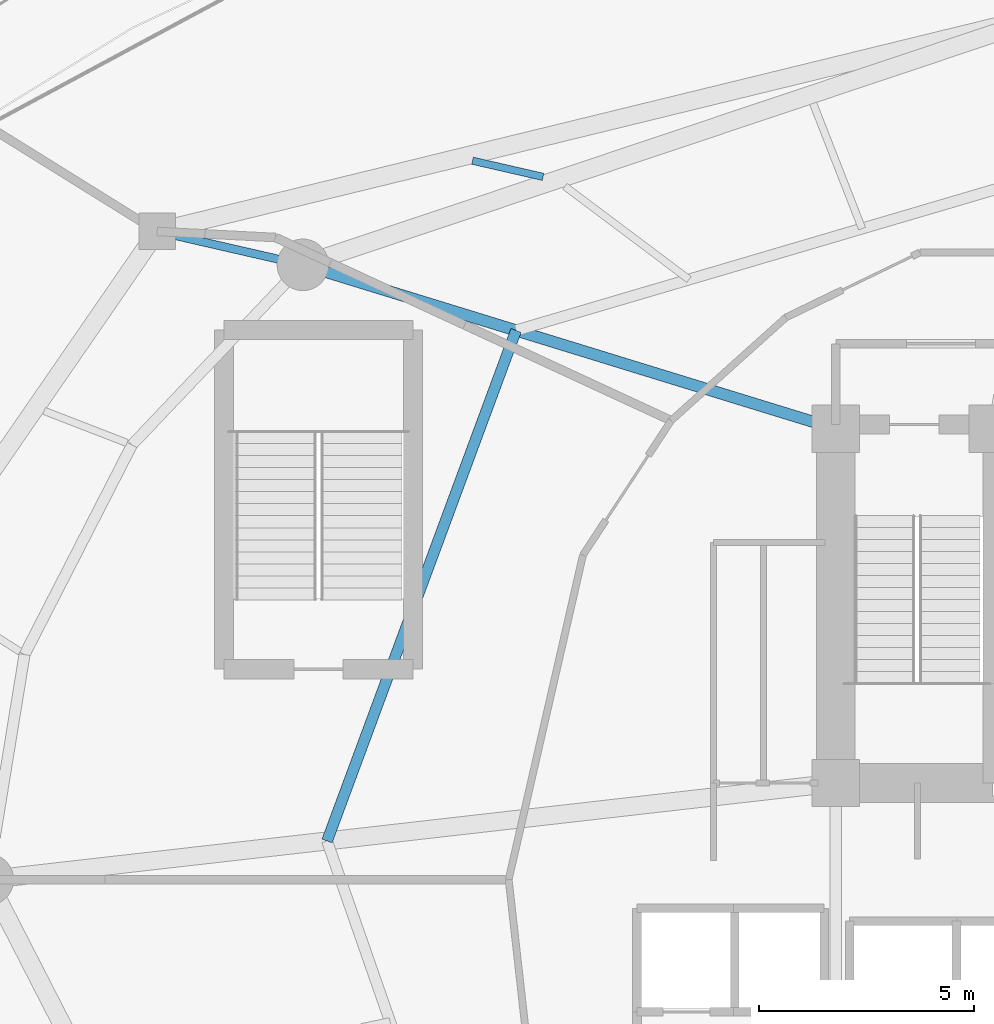
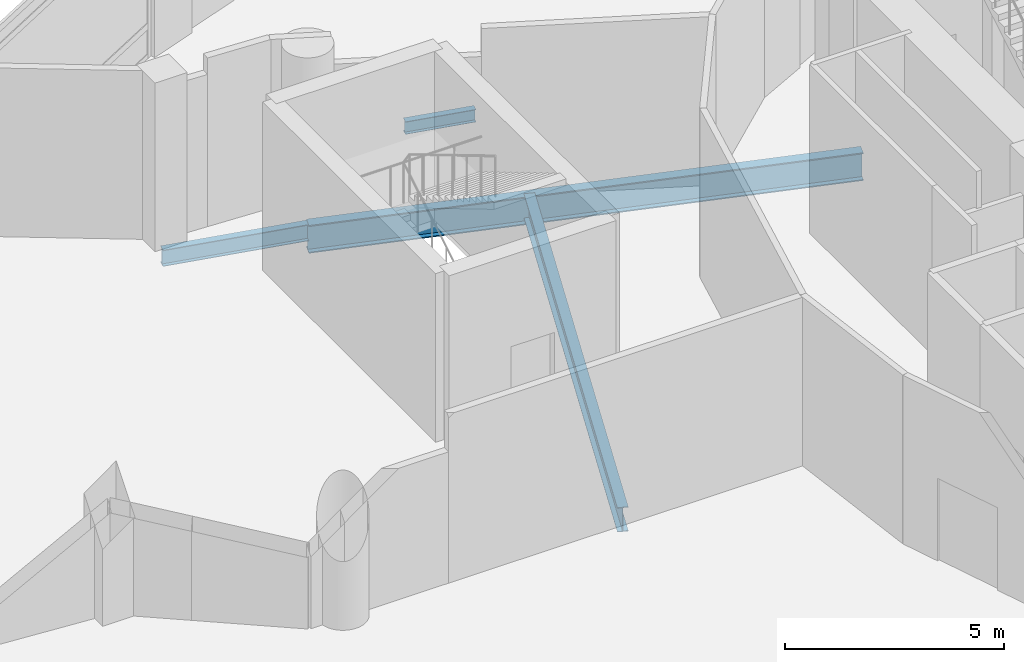
# One storey, part 15 of 36: 4 beams.
"""IFC4 building model written with IfcOpenShell, lengths in metres."""

from ifc_helpers import new_model, si_unit, direction, frame, origin, origin_2d, place, context, subcontext, project, spatial, i_section, extrude, material, material_profile, profile_set, type_object, element, save


model = new_model("IFC4")

# Units and contexts
model_context = context("Model", 3, precision=1e-05, world=origin(), true_north=direction((0.0, 1.0)))
body_context = subcontext(model_context, "Body", "Model", "MODEL_VIEW")
ifc_project = project(units=[si_unit("LENGTHUNIT", "METRE"), si_unit("AREAUNIT", "SQUARE_METRE"), si_unit("VOLUMEUNIT", "CUBIC_METRE"), si_unit("PLANEANGLEUNIT", "RADIAN"), si_unit("MASSUNIT", "GRAM", prefix="KILO")], contexts=[model_context])

# Site, building, storey
site_placement = place(None, origin())
site = spatial("IfcSite", under=ifc_project, at=site_placement, CompositionType="ELEMENT")
building_placement = place(site_placement, origin())
building = spatial("IfcBuilding", under=site, at=building_placement, Name="Nuhasar Tower", CompositionType="ELEMENT")
storey_placement = place(building_placement, frame((0.0, 0.0, 11.0)))
storey = spatial("IfcBuildingStorey", under=building, at=storey_placement, Name="L02", CompositionType="ELEMENT", Elevation=11.0)

# Beams
ifc_material = material(Name="Steel S355", Category="steel")
ifc_material_profile_1 = material_profile(ifc_material, i_section(OverallWidth=0.25390625, OverallDepth=0.68408203125, WebThickness=0.012451171875, FlangeThickness=0.018798828125, at=origin_2d()), Name="W27X94")
ifc_profile_set_1 = profile_set([ifc_material_profile_1], Name="Steel S355")
beam_type_1 = type_object("IfcBeamType", Name="BM-INRING-W27X94", PredefinedType="BEAM", material=ifc_profile_set_1)
beam_1_placement = place(storey_placement, frame((26.251953125, 39.591064453125, -0.64208984375), z_axis=(-0.34715757476, -0.937806812881, 0.0), x_axis=(0.937806812881, -0.34715757476, 0.0)))
element("IfcBeam", 1, at=beam_1_placement, inside=storey, type_object=beam_type_1, Name="L02 Inner Header Beam 07", PredefinedType="BEAM", context=body_context, shape_type="SweptSolid", body=[
    extrude(i_section(OverallWidth=0.25390625, OverallDepth=0.68408203125, WebThickness=0.012451171875, FlangeThickness=0.018798828125, at=origin_2d()), origin(), (0.0, 0.0, 1.0), 12.6796875),
])
ifc_material_profile_2 = material_profile(ifc_material, i_section(OverallWidth=0.1708984375, OverallDepth=0.35205078125, WebThickness=0.0068359375, FlangeThickness=0.009765625, at=origin_2d()), Name="W14X30")
ifc_profile_set_2 = profile_set([ifc_material_profile_2], Name="Steel S355")
beam_type_2 = type_object("IfcBeamType", Name="BM-JST-W14X30", PredefinedType="JOIST", material=ifc_profile_set_2)
beam_2_placement = place(storey_placement, frame((26.882080078125, 43.1669921875, -0.47607421875), z_axis=(-0.974707362728, 0.223485026441, 0.0), x_axis=(-0.223485026441, -0.974707362728, 0.0)))
element("IfcBeam", 2, at=beam_2_placement, inside=storey, type_object=beam_type_2, Name="L02 Podium Secondary Joist 12", PredefinedType="JOIST", context=body_context, shape_type="SweptSolid", body=[
    extrude(i_section(OverallWidth=0.1708984375, OverallDepth=0.35205078125, WebThickness=0.0068359375, FlangeThickness=0.009765625, at=origin_2d()), origin(), (0.0, 0.0, 1.0), 1.686767578125),
])
ifc_material_profile_3 = material_profile(ifc_material, i_section(OverallWidth=0.18994140625, OverallDepth=0.45703125, WebThickness=0.009033203125, FlangeThickness=0.014404296875, at=origin_2d()), Name="W18X50")
ifc_profile_set_3 = profile_set([ifc_material_profile_3], Name="Steel S355")
beam_type_3 = type_object("IfcBeamType", Name="BM-RAD-W18X50", PredefinedType="BEAM", material=ifc_profile_set_3)
beam_3_placement = place(storey_placement, frame((21.287109375, 41.118896484375, -0.529052734375), z_axis=(-0.974715141502, 0.223451097394, 0.0), x_axis=(-0.223451097394, -0.974715141502, 0.0)))
element("IfcBeam", 3, at=beam_3_placement, inside=storey, type_object=beam_type_3, Name="L02 Podium Radial Girder 07", PredefinedType="BEAM", context=body_context, shape_type="SweptSolid", body=[
    extrude(i_section(OverallWidth=0.18994140625, OverallDepth=0.45703125, WebThickness=0.009033203125, FlangeThickness=0.014404296875, at=origin_2d()), origin(), (0.0, 0.0, 1.0), 3.482177734375),
])
ifc_material_profile_4 = material_profile(ifc_material, i_section(OverallWidth=0.26611328125, OverallDepth=0.779052734375, WebThickness=0.0166015625, FlangeThickness=0.030029296875, at=origin_2d()), Name="W30X148")
ifc_profile_set_4 = profile_set([ifc_material_profile_4], Name="Steel S355")
beam_type_4 = type_object("IfcBeamType", Name="BM-RAD-W30X148", PredefinedType="BEAM", material=ifc_profile_set_4)
beam_4_placement = place(storey_placement, frame((33.699951171875, 37.300048828125, -0.68994140625), z_axis=(-0.955789576103, 0.294051502653, 0.0), x_axis=(-0.294051502653, -0.955789576103, 0.0)))
element("IfcBeam", 4, at=beam_4_placement, inside=storey, type_object=beam_type_4, Name="L02 Radial Floor Girder 07", PredefinedType="BEAM", context=body_context, shape_type="SweptSolid", body=[
    extrude(i_section(OverallWidth=0.26611328125, OverallDepth=0.779052734375, WebThickness=0.0166015625, FlangeThickness=0.030029296875, at=origin_2d()), origin(), (0.0, 0.0, 1.0), 12.987060546875),
])

save(model, "model.ifc")
